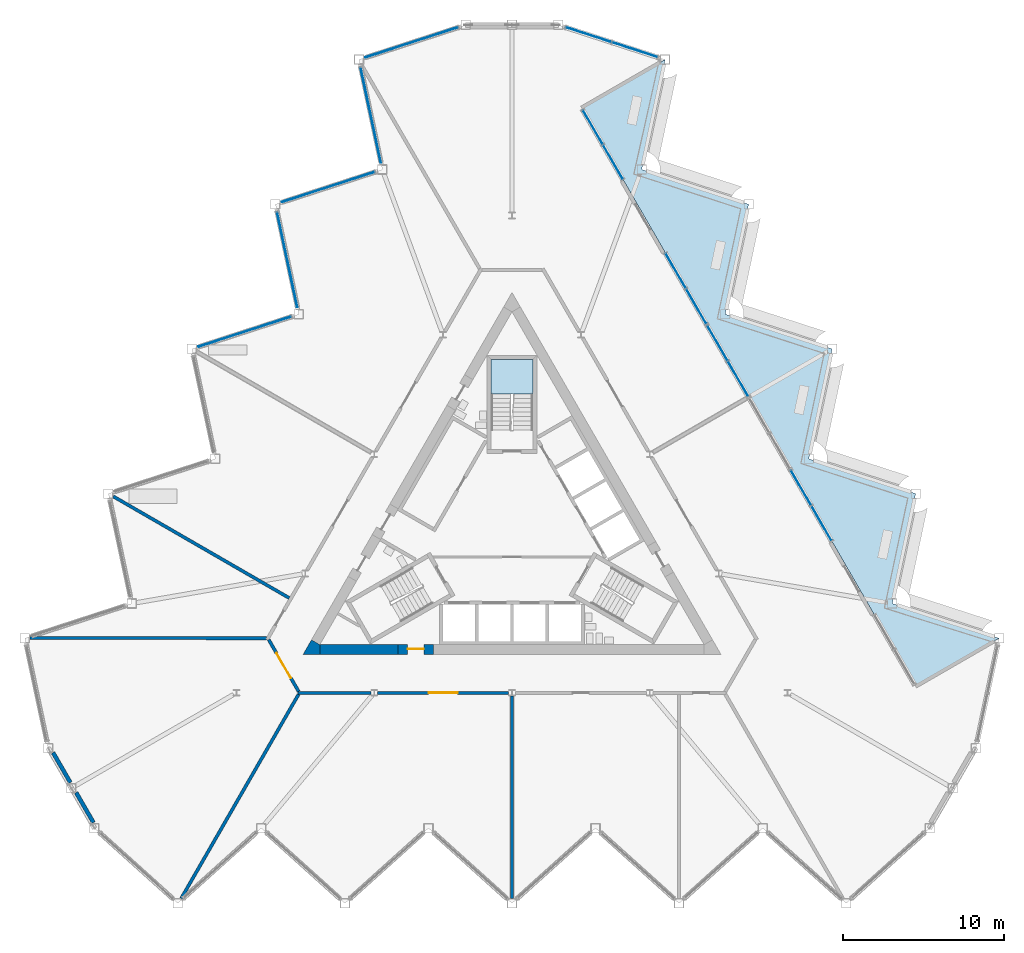
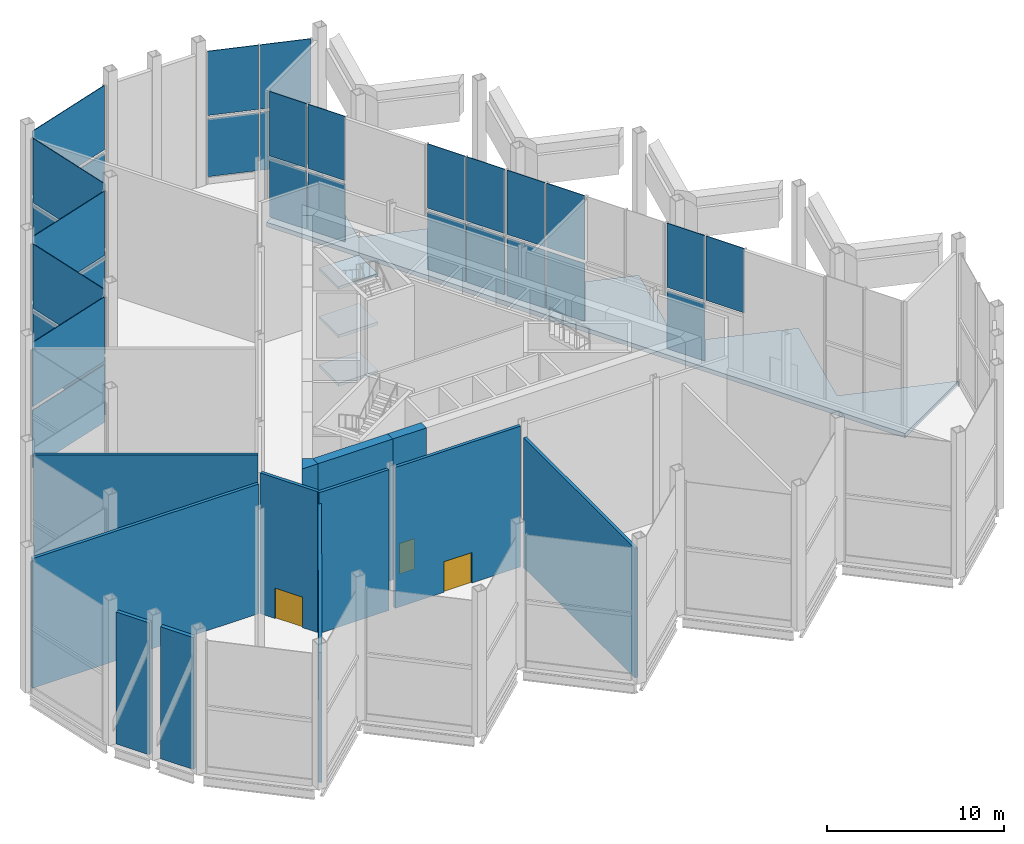
# One storey, part 8 of 18: 29 plates, 12 walls, 4 slabs, 3 doors, 3 openings, 7 elements without a shape of their own.
"""IFC4 building model written with IfcOpenShell, lengths in metres."""

from ifc_helpers import new_model, si_unit, direction, frame, frame_2d, origin, origin_2d, place, context, subcontext, project, spatial, polyline, rectangle, outline, extrude, material, layer, layer_set, type_object, element, fill, aggregate, save


model = new_model("IFC4")

# Units and contexts
model_context = context("Model", 3, precision=1e-05, world=origin(), true_north=direction((0.0, 1.0)))
body_context = subcontext(model_context, "Body", "Model", "MODEL_VIEW")
ifc_project = project(units=[si_unit("LENGTHUNIT", "METRE"), si_unit("AREAUNIT", "SQUARE_METRE"), si_unit("VOLUMEUNIT", "CUBIC_METRE"), si_unit("PLANEANGLEUNIT", "RADIAN"), si_unit("MASSUNIT", "GRAM", prefix="KILO")], contexts=[model_context])

# Site, building, storey
site_placement = place(None, origin())
site = spatial("IfcSite", under=ifc_project, at=site_placement, CompositionType="ELEMENT")
building_placement = place(site_placement, origin())
building = spatial("IfcBuilding", under=site, at=building_placement, Name="Cormorant Prow Tower", CompositionType="ELEMENT")
storey_placement = place(building_placement, frame((0.0, 0.0, 346.0)))
storey = spatial("IfcBuildingStorey", under=building, at=storey_placement, Name="L78", CompositionType="ELEMENT", Elevation=346.0)

# Curtain wall, plates
ifc_material_1 = material(Name="Aluminium 6063-T6", Category="aluminium")
ifc_layer_1 = layer(ifc_material_1, 0.300048828125)
ifc_layer_set_1 = layer_set([ifc_layer_1], Name="Aluminium 6063-T6")
curtain_wall_type = type_object("IfcCurtainWallType", Name="Sky lobby unitised curtain wall 300", PredefinedType="NOTDEFINED", material=ifc_layer_set_1)
curtain_wall_1_placement = place(storey_placement, origin())
curtain_wall_1 = element("IfcCurtainWall", 1, at=curtain_wall_1_placement, inside=storey, type_object=curtain_wall_type, Name="Sky lobby curtain wall ENE09", PredefinedType="NOTDEFINED")
ifc_material_2 = material(Name="Clear glass", Category="glass")
ifc_layer_2 = layer(ifc_material_2, 0.0439453125)
ifc_layer_set_2 = layer_set([ifc_layer_2], Name="Clear glass")
plate_type = type_object("IfcPlateType", Name="Sky lobby glass panel 44", PredefinedType="CURTAIN_PANEL", material=ifc_layer_set_2)
plate_1_placement = place(storey_placement, frame((7.638671875, 30.1279296875, 0.4501953125), z_axis=(0.0, 0.0, 1.0), x_axis=(-0.951056504236, 0.30901703149, 0.0)))
plate_1 = element("IfcPlate", 2, at=plate_1_placement, type_object=plate_type, Name="Sky lobby glass panel ENE09", PredefinedType="CURTAIN_PANEL", context=body_context, shape_type="SweptSolid", body=[
    extrude(rectangle(XDim=2.944091796875, YDim=0.0439453125, at=origin_2d()), origin(), (0.0, 0.0, 1.0), 3.973876953125),
])
plate_2_placement = place(storey_placement, frame((4.7626953125, 31.062255859375, 0.4501953125), z_axis=(0.0, 0.0, 1.0), x_axis=(-0.951056504236, 0.30901703149, 0.0)))
plate_2 = element("IfcPlate", 3, at=plate_2_placement, type_object=plate_type, Name="Sky lobby glass panel ENE09", PredefinedType="CURTAIN_PANEL", context=body_context, shape_type="SweptSolid", body=[
    extrude(rectangle(XDim=2.944091796875, YDim=0.0439453125, at=origin_2d()), origin(), (0.0, 0.0, 1.0), 3.973876953125),
])
plate_3_placement = place(storey_placement, frame((7.638671875, 30.1279296875, 4.6640625), z_axis=(0.0, 0.0, 1.0), x_axis=(-0.951056504236, 0.30901703149, 0.0)))
plate_3 = element("IfcPlate", 4, at=plate_3_placement, type_object=plate_type, Name="Sky lobby glass panel ENE09", PredefinedType="CURTAIN_PANEL", context=body_context, shape_type="SweptSolid", body=[
    extrude(rectangle(XDim=2.944091796875, YDim=0.0439453125, at=origin_2d()), origin(), (0.0, 0.0, 1.0), 4.424072265625),
])
plate_4_placement = place(storey_placement, frame((4.7626953125, 31.062255859375, 4.6640625), z_axis=(0.0, 0.0, 1.0), x_axis=(-0.951056504236, 0.30901703149, 0.0)))
plate_4 = element("IfcPlate", 5, at=plate_4_placement, type_object=plate_type, Name="Sky lobby glass panel ENE09", PredefinedType="CURTAIN_PANEL", context=body_context, shape_type="SweptSolid", body=[
    extrude(rectangle(XDim=2.944091796875, YDim=0.0439453125, at=origin_2d()), origin(), (0.0, 0.0, 1.0), 4.424072265625),
])
aggregate(curtain_wall_1, [plate_1, plate_2, plate_3, plate_4])

curtain_wall_2_placement = place(storey_placement, origin())
curtain_wall_2 = element("IfcCurtainWall", 6, at=curtain_wall_2_placement, inside=storey, type_object=curtain_wall_type, Name="Sky lobby curtain wall WNW00-WNW09", PredefinedType="NOTDEFINED")
plate_5_placement = place(storey_placement, frame((-6.23876953125, 30.582763671875, 0.4501953125), z_axis=(0.0, 0.0, 1.0), x_axis=(-0.951056504236, -0.30901703149, 0.0)))
plate_5 = element("IfcPlate", 7, at=plate_5_placement, type_object=plate_type, Name="Sky lobby glass panel WNW00-WNW09", PredefinedType="CURTAIN_PANEL", context=body_context, shape_type="SweptSolid", body=[
    extrude(rectangle(XDim=6.048095703125, YDim=0.0439453125, at=origin_2d()), origin(), (0.0, 0.0, 1.0), 3.973876953125),
])
plate_6_placement = place(storey_placement, frame((-6.23876953125, 30.582763671875, 4.6640625), z_axis=(0.0, 0.0, 1.0), x_axis=(-0.951056504236, -0.30901703149, 0.0)))
plate_6 = element("IfcPlate", 8, at=plate_6_placement, type_object=plate_type, Name="Sky lobby glass panel WNW00-WNW09", PredefinedType="CURTAIN_PANEL", context=body_context, shape_type="SweptSolid", body=[
    extrude(rectangle(XDim=6.048095703125, YDim=0.0439453125, at=origin_2d()), origin(), (0.0, 0.0, 1.0), 4.424072265625),
])
plate_7_placement = place(storey_placement, frame((-8.791748046875, 26.053466796875, 0.4501953125), z_axis=(0.0, 0.0, 1.0), x_axis=(0.207911626047, -0.978147614501, 0.0)))
plate_7 = element("IfcPlate", 9, at=plate_7_placement, type_object=plate_type, Name="Sky lobby glass panel WNW00-WNW09", PredefinedType="CURTAIN_PANEL", context=body_context, shape_type="SweptSolid", body=[
    extrude(rectangle(XDim=6.048095703125, YDim=0.0439453125, at=origin_2d()), origin(), (0.0, 0.0, 1.0), 3.973876953125),
])
plate_8_placement = place(storey_placement, frame((-8.791748046875, 26.053466796875, 4.6640625), z_axis=(0.0, 0.0, 1.0), x_axis=(0.207911626047, -0.978147614501, 0.0)))
plate_8 = element("IfcPlate", 10, at=plate_8_placement, type_object=plate_type, Name="Sky lobby glass panel WNW00-WNW09", PredefinedType="CURTAIN_PANEL", context=body_context, shape_type="SweptSolid", body=[
    extrude(rectangle(XDim=6.048095703125, YDim=0.0439453125, at=origin_2d()), origin(), (0.0, 0.0, 1.0), 4.424072265625),
])
plate_9_placement = place(storey_placement, frame((-11.437744140625, 21.57763671875, 0.4501953125), z_axis=(0.0, 0.0, 1.0), x_axis=(-0.951056517881, -0.309016989495, 0.0)))
plate_9 = element("IfcPlate", 11, at=plate_9_placement, type_object=plate_type, Name="Sky lobby glass panel WNW00-WNW09", PredefinedType="CURTAIN_PANEL", context=body_context, shape_type="SweptSolid", body=[
    extrude(rectangle(XDim=6.048095703125, YDim=0.0439453125, at=origin_2d()), origin(), (0.0, 0.0, 1.0), 3.973876953125),
])
plate_10_placement = place(storey_placement, frame((-11.437744140625, 21.57763671875, 4.6640625), z_axis=(0.0, 0.0, 1.0), x_axis=(-0.951056517881, -0.309016989495, 0.0)))
plate_10 = element("IfcPlate", 12, at=plate_10_placement, type_object=plate_type, Name="Sky lobby glass panel WNW00-WNW09", PredefinedType="CURTAIN_PANEL", context=body_context, shape_type="SweptSolid", body=[
    extrude(rectangle(XDim=6.048095703125, YDim=0.0439453125, at=origin_2d()), origin(), (0.0, 0.0, 1.0), 4.424072265625),
])
plate_11_placement = place(storey_placement, frame((-13.990966796875, 17.04833984375, 0.4501953125), z_axis=(0.0, 0.0, 1.0), x_axis=(0.20791165512, -0.978147608322, 0.0)))
plate_11 = element("IfcPlate", 13, at=plate_11_placement, type_object=plate_type, Name="Sky lobby glass panel WNW00-WNW09", PredefinedType="CURTAIN_PANEL", context=body_context, shape_type="SweptSolid", body=[
    extrude(rectangle(XDim=6.048095703125, YDim=0.0439453125, at=origin_2d()), origin(), (0.0, 0.0, 1.0), 3.973876953125),
])
plate_12_placement = place(storey_placement, frame((-13.990966796875, 17.04833984375, 4.6640625), z_axis=(0.0, 0.0, 1.0), x_axis=(0.20791165512, -0.978147608322, 0.0)))
plate_12 = element("IfcPlate", 14, at=plate_12_placement, type_object=plate_type, Name="Sky lobby glass panel WNW00-WNW09", PredefinedType="CURTAIN_PANEL", context=body_context, shape_type="SweptSolid", body=[
    extrude(rectangle(XDim=6.048095703125, YDim=0.0439453125, at=origin_2d()), origin(), (0.0, 0.0, 1.0), 4.424072265625),
])
plate_13_placement = place(storey_placement, frame((-16.63671875, 12.57275390625, 0.4501953125), z_axis=(0.0, 0.0, 1.0), x_axis=(-0.951056517881, -0.309016989495, 0.0)))
plate_13 = element("IfcPlate", 15, at=plate_13_placement, type_object=plate_type, Name="Sky lobby glass panel WNW00-WNW09", PredefinedType="CURTAIN_PANEL", context=body_context, shape_type="SweptSolid", body=[
    extrude(rectangle(XDim=6.048095703125, YDim=0.0439453125, at=origin_2d()), origin(), (0.0, 0.0, 1.0), 3.973876953125),
])
plate_14_placement = place(storey_placement, frame((-16.63671875, 12.57275390625, 4.6640625), z_axis=(0.0, 0.0, 1.0), x_axis=(-0.951056517881, -0.309016989495, 0.0)))
plate_14 = element("IfcPlate", 16, at=plate_14_placement, type_object=plate_type, Name="Sky lobby glass panel WNW00-WNW09", PredefinedType="CURTAIN_PANEL", context=body_context, shape_type="SweptSolid", body=[
    extrude(rectangle(XDim=6.048095703125, YDim=0.0439453125, at=origin_2d()), origin(), (0.0, 0.0, 1.0), 4.424072265625),
])
aggregate(curtain_wall_2, [plate_5, plate_6, plate_7, plate_8, plate_9, plate_10, plate_11, plate_12, plate_13, plate_14])

curtain_wall_3_placement = place(storey_placement, origin())
curtain_wall_3 = element("IfcCurtainWall", 17, at=curtain_wall_3_placement, inside=storey, type_object=curtain_wall_type, Name="Sky lobby curtain wall loggia ENE03", PredefinedType="NOTDEFINED")
plate_15_placement = place(storey_placement, frame((17.98876953125, 2.858642578125, 0.4501953125), z_axis=(0.0, 0.0, 1.0), x_axis=(-0.499999983736, 0.866025413174, 0.0)))
plate_15 = element("IfcPlate", 18, at=plate_15_placement, type_object=plate_type, Name="Sky lobby glass panel loggia ENE03", PredefinedType="CURTAIN_PANEL", context=body_context, shape_type="SweptSolid", body=[
    extrude(rectangle(XDim=2.4794921875, YDim=0.0439453125, at=origin_2d()), origin(), (0.0, 0.0, 1.0), 3.973876953125),
])
plate_16_placement = place(storey_placement, frame((19.2685546875, 0.641845703125, 4.6640625), z_axis=(0.0, 0.0, 1.0), x_axis=(-0.499999983736, 0.866025413174, 0.0)))
plate_16 = element("IfcPlate", 19, at=plate_16_placement, type_object=plate_type, Name="Sky lobby glass panel loggia ENE03", PredefinedType="CURTAIN_PANEL", context=body_context, shape_type="SweptSolid", body=[
    extrude(rectangle(XDim=2.4794921875, YDim=0.0439453125, at=origin_2d()), origin(), (0.0, 0.0, 1.0), 4.424072265625),
])
plate_17_placement = place(storey_placement, frame((17.98876953125, 2.858642578125, 4.6640625), z_axis=(0.0, 0.0, 1.0), x_axis=(-0.499999983736, 0.866025413174, 0.0)))
plate_17 = element("IfcPlate", 20, at=plate_17_placement, type_object=plate_type, Name="Sky lobby glass panel loggia ENE03", PredefinedType="CURTAIN_PANEL", context=body_context, shape_type="SweptSolid", body=[
    extrude(rectangle(XDim=2.4794921875, YDim=0.0439453125, at=origin_2d()), origin(), (0.0, 0.0, 1.0), 4.424072265625),
])
aggregate(curtain_wall_3, [plate_15, plate_16, plate_17])

curtain_wall_4_placement = place(storey_placement, origin())
curtain_wall_4 = element("IfcCurtainWall", 21, at=curtain_wall_4_placement, inside=storey, type_object=curtain_wall_type, Name="Sky lobby curtain wall loggia ENE05", PredefinedType="NOTDEFINED")
plate_18_placement = place(storey_placement, frame((14.069580078125, 9.64697265625, 0.4501953125), z_axis=(0.0, 0.0, 1.0), x_axis=(-0.499999983736, 0.866025413174, 0.0)))
plate_18 = element("IfcPlate", 22, at=plate_18_placement, type_object=plate_type, Name="Sky lobby glass panel loggia ENE05", PredefinedType="CURTAIN_PANEL", context=body_context, shape_type="SweptSolid", body=[
    extrude(rectangle(XDim=2.4794921875, YDim=0.0439453125, at=origin_2d()), origin(), (0.0, 0.0, 1.0), 3.973876953125),
])
plate_19_placement = place(storey_placement, frame((12.789794921875, 11.863525390625, 0.4501953125), z_axis=(0.0, 0.0, 1.0), x_axis=(-0.499999983736, 0.866025413174, 0.0)))
plate_19 = element("IfcPlate", 23, at=plate_19_placement, type_object=plate_type, Name="Sky lobby glass panel loggia ENE05", PredefinedType="CURTAIN_PANEL", context=body_context, shape_type="SweptSolid", body=[
    extrude(rectangle(XDim=2.4794921875, YDim=0.0439453125, at=origin_2d()), origin(), (0.0, 0.0, 1.0), 3.973876953125),
])
plate_20_placement = place(storey_placement, frame((14.069580078125, 9.64697265625, 4.6640625), z_axis=(0.0, 0.0, 1.0), x_axis=(-0.499999983736, 0.866025413174, 0.0)))
plate_20 = element("IfcPlate", 24, at=plate_20_placement, type_object=plate_type, Name="Sky lobby glass panel loggia ENE05", PredefinedType="CURTAIN_PANEL", context=body_context, shape_type="SweptSolid", body=[
    extrude(rectangle(XDim=2.4794921875, YDim=0.0439453125, at=origin_2d()), origin(), (0.0, 0.0, 1.0), 4.424072265625),
])
plate_21_placement = place(storey_placement, frame((12.789794921875, 11.863525390625, 4.6640625), z_axis=(0.0, 0.0, 1.0), x_axis=(-0.499999983736, 0.866025413174, 0.0)))
plate_21 = element("IfcPlate", 25, at=plate_21_placement, type_object=plate_type, Name="Sky lobby glass panel loggia ENE05", PredefinedType="CURTAIN_PANEL", context=body_context, shape_type="SweptSolid", body=[
    extrude(rectangle(XDim=2.4794921875, YDim=0.0439453125, at=origin_2d()), origin(), (0.0, 0.0, 1.0), 4.424072265625),
])
aggregate(curtain_wall_4, [plate_18, plate_19, plate_20, plate_21])

curtain_wall_5_placement = place(storey_placement, origin())
curtain_wall_5 = element("IfcCurtainWall", 26, at=curtain_wall_5_placement, inside=storey, type_object=curtain_wall_type, Name="Sky lobby curtain wall loggia ENE06", PredefinedType="NOTDEFINED")
plate_22_placement = place(storey_placement, frame((11.469970703125, 14.1494140625, 0.4501953125), z_axis=(0.0, 0.0, 1.0), x_axis=(-0.499999983736, 0.866025413174, 0.0)))
plate_22 = element("IfcPlate", 27, at=plate_22_placement, type_object=plate_type, Name="Sky lobby glass panel loggia ENE06", PredefinedType="CURTAIN_PANEL", context=body_context, shape_type="SweptSolid", body=[
    extrude(rectangle(XDim=2.4794921875, YDim=0.0439453125, at=origin_2d()), origin(), (0.0, 0.0, 1.0), 3.973876953125),
])
plate_23_placement = place(storey_placement, frame((10.190185546875, 16.3662109375, 0.4501953125), z_axis=(0.0, 0.0, 1.0), x_axis=(-0.499999983736, 0.866025413174, 0.0)))
plate_23 = element("IfcPlate", 28, at=plate_23_placement, type_object=plate_type, Name="Sky lobby glass panel loggia ENE06", PredefinedType="CURTAIN_PANEL", context=body_context, shape_type="SweptSolid", body=[
    extrude(rectangle(XDim=2.4794921875, YDim=0.0439453125, at=origin_2d()), origin(), (0.0, 0.0, 1.0), 3.973876953125),
])
plate_24_placement = place(storey_placement, frame((11.469970703125, 14.1494140625, 4.6640625), z_axis=(0.0, 0.0, 1.0), x_axis=(-0.499999983736, 0.866025413174, 0.0)))
plate_24 = element("IfcPlate", 29, at=plate_24_placement, type_object=plate_type, Name="Sky lobby glass panel loggia ENE06", PredefinedType="CURTAIN_PANEL", context=body_context, shape_type="SweptSolid", body=[
    extrude(rectangle(XDim=2.4794921875, YDim=0.0439453125, at=origin_2d()), origin(), (0.0, 0.0, 1.0), 4.424072265625),
])
plate_25_placement = place(storey_placement, frame((10.190185546875, 16.3662109375, 4.6640625), z_axis=(0.0, 0.0, 1.0), x_axis=(-0.499999983736, 0.866025413174, 0.0)))
plate_25 = element("IfcPlate", 30, at=plate_25_placement, type_object=plate_type, Name="Sky lobby glass panel loggia ENE06", PredefinedType="CURTAIN_PANEL", context=body_context, shape_type="SweptSolid", body=[
    extrude(rectangle(XDim=2.4794921875, YDim=0.0439453125, at=origin_2d()), origin(), (0.0, 0.0, 1.0), 4.424072265625),
])
aggregate(curtain_wall_5, [plate_22, plate_23, plate_24, plate_25])

curtain_wall_6_placement = place(storey_placement, origin())
curtain_wall_6 = element("IfcCurtainWall", 31, at=curtain_wall_6_placement, inside=storey, type_object=curtain_wall_type, Name="Sky lobby curtain wall loggia ENE08", PredefinedType="NOTDEFINED")
plate_26_placement = place(storey_placement, frame((6.28466796875, 23.130859375, 0.4501953125), z_axis=(0.0, 0.0, 1.0), x_axis=(-0.499999983736, 0.866025413174, 0.0)))
plate_26 = element("IfcPlate", 32, at=plate_26_placement, type_object=plate_type, Name="Sky lobby glass panel loggia ENE08", PredefinedType="CURTAIN_PANEL", context=body_context, shape_type="SweptSolid", body=[
    extrude(rectangle(XDim=2.424560546875, YDim=0.0439453125, at=origin_2d()), origin(), (0.0, 0.0, 1.0), 3.973876953125),
])
plate_27_placement = place(storey_placement, frame((5.032470703125, 25.2998046875, 0.4501953125), z_axis=(0.0, 0.0, 1.0), x_axis=(-0.499999983736, 0.866025413174, 0.0)))
plate_27 = element("IfcPlate", 33, at=plate_27_placement, type_object=plate_type, Name="Sky lobby glass panel loggia ENE08", PredefinedType="CURTAIN_PANEL", context=body_context, shape_type="SweptSolid", body=[
    extrude(rectangle(XDim=2.424560546875, YDim=0.0439453125, at=origin_2d()), origin(), (0.0, 0.0, 1.0), 3.973876953125),
])
plate_28_placement = place(storey_placement, frame((6.28466796875, 23.130859375, 4.6640625), z_axis=(0.0, 0.0, 1.0), x_axis=(-0.499999983736, 0.866025413174, 0.0)))
plate_28 = element("IfcPlate", 34, at=plate_28_placement, type_object=plate_type, Name="Sky lobby glass panel loggia ENE08", PredefinedType="CURTAIN_PANEL", context=body_context, shape_type="SweptSolid", body=[
    extrude(rectangle(XDim=2.424560546875, YDim=0.0439453125, at=origin_2d()), origin(), (0.0, 0.0, 1.0), 4.424072265625),
])
plate_29_placement = place(storey_placement, frame((5.032470703125, 25.2998046875, 4.6640625), z_axis=(0.0, 0.0, 1.0), x_axis=(-0.499999983736, 0.866025413174, 0.0)))
plate_29 = element("IfcPlate", 35, at=plate_29_placement, type_object=plate_type, Name="Sky lobby glass panel loggia ENE08", PredefinedType="CURTAIN_PANEL", context=body_context, shape_type="SweptSolid", body=[
    extrude(rectangle(XDim=2.424560546875, YDim=0.0439453125, at=origin_2d()), origin(), (0.0, 0.0, 1.0), 4.424072265625),
])
aggregate(curtain_wall_6, [plate_26, plate_27, plate_28, plate_29])

# Stair, slabs
ifc_material_3 = material(Name="Exit stair 54 risers")
stair_type = type_object("IfcStairType", Name="Exit stair 54 risers", PredefinedType="HALF_TURN_STAIR", material=ifc_material_3)
stair_placement = place(storey_placement, origin())
stair = element("IfcStair", 36, at=stair_placement, inside=storey, type_object=stair_type, Name="L78 Exit stair ST3", PredefinedType="HALF_TURN_STAIR")
ifc_material_4 = material(Name="Concrete 5000 psi", Category="concrete")
ifc_layer_3 = layer(ifc_material_4, 0.199951171875)
ifc_layer_set_3 = layer_set([ifc_layer_3], Name="Concrete 5000 psi")
slab_type_1 = type_object("IfcSlabType", Name="Stair landing 200", PredefinedType="LANDING", material=ifc_layer_set_3)
slab_1_placement = place(storey_placement, frame((0.0, 0.0, 1.466552734375)))
slab_1 = element("IfcSlab", 37, at=slab_1_placement, type_object=slab_type_1, Name="ST3 landing 1", PredefinedType="LANDING", context=body_context, shape_type="SweptSolid", body=[
    extrude(outline(polyline([(1.2939453125, 8.69189453125), (1.2939453125, 10.8369140625), (-1.2939453125, 10.8369140625), (-1.2939453125, 8.69189453125), (1.2939453125, 8.69189453125)])), origin(), (0.0, 0.0, 1.0), 0.2001953125),
])
slab_2_placement = place(storey_placement, frame((0.0, 0.0, 4.800048828125)))
slab_2 = element("IfcSlab", 38, at=slab_2_placement, type_object=slab_type_1, Name="ST3 landing 3", PredefinedType="LANDING", context=body_context, shape_type="SweptSolid", body=[
    extrude(outline(polyline([(1.2939453125, 8.69189453125), (1.2939453125, 10.8369140625), (-1.2939453125, 10.8369140625), (-1.2939453125, 8.69189453125), (1.2939453125, 8.69189453125)])), origin(), (0.0, 0.0, 1.0), 0.199951171875),
])
slab_3_placement = place(storey_placement, frame((0.0, 0.0, 8.13330078125)))
slab_3 = element("IfcSlab", 39, at=slab_3_placement, type_object=slab_type_1, Name="ST3 landing 5", PredefinedType="LANDING", context=body_context, shape_type="SweptSolid", body=[
    extrude(outline(polyline([(1.2939453125, 8.69189453125), (1.2939453125, 10.8369140625), (-1.2939453125, 10.8369140625), (-1.2939453125, 8.69189453125), (1.2939453125, 8.69189453125)])), origin(), (0.0, 0.0, 1.0), 0.199951171875),
])
aggregate(stair, [slab_1, slab_2, slab_3])

# Slab
ifc_material_5 = material(Name="Concrete C40/50", Category="concrete")
ifc_layer_4 = layer(ifc_material_5, 0.300048828125)
ifc_layer_set_4 = layer_set([ifc_layer_4], Name="Concrete C40/50")
slab_type_2 = type_object("IfcSlabType", Name="Terrace slab 300", PredefinedType="FLOOR", material=ifc_layer_set_4)
slab_4_placement = place(storey_placement, frame((0.0, 0.0, -0.300048828125)))
element("IfcSlab", 40, at=slab_4_placement, inside=storey, type_object=slab_type_2, Name="Loggia terrace slab L78", PredefinedType="FLOOR", context=body_context, shape_type="SweptSolid", body=[
    extrude(outline(polyline([(30.32373046875, -6.506103515625), (23.670166015625, -4.34423828125), (25.124755859375, 2.4990234375), (18.470947265625, 4.660888671875), (19.925537109375, 11.504150390625), (13.27197265625, 13.666015625), (14.7265625, 20.509033203125), (8.072998046875, 22.6708984375), (9.52734375, 29.51416015625), (4.331298828125, 26.51416015625), (25.127685546875, -9.506103515625), (30.32373046875, -6.506103515625)])), origin(), (0.0, 0.0, 1.0), 0.300048828125),
])

# Walls
ifc_material_6 = material(Name="Concrete 8000 psi", Category="concrete")
ifc_layer_5 = layer(ifc_material_6, 0.60009765625)
ifc_layer_set_5 = layer_set([ifc_layer_5], Name="Concrete 8000 psi")
wall_type_1 = type_object("IfcWallType", Name="Core shear wall 600", PredefinedType="SHEAR", material=ifc_layer_set_5)
wall_1_placement = place(storey_placement, frame((-11.960693359375, -7.20556640625, 0.0), z_axis=(0.0, 0.0, 1.0), x_axis=(1.0, 0.0, 0.0)))
element("IfcWall", 41, at=wall_1_placement, inside=storey, type_object=wall_type_1, Name="Core wall", PredefinedType="SHEAR", context=body_context, shape_type="SweptSolid", body=[
    extrude(rectangle(XDim=4.868408203125, YDim=0.60009765625, at=frame_2d((2.43408203125, 0.0))), origin(), (0.0, 0.0, 1.0), 9.699951171875),
])
wall_2_placement = place(storey_placement, origin())
element("IfcWall", 42, at=wall_2_placement, inside=storey, type_object=wall_type_1, Name="Core wall corner", PredefinedType="SHEAR", context=body_context, shape_type="SweptSolid", body=[
    extrude(outline(polyline([(-12.48046875, -6.605712890625), (-11.960693359375, -6.905517578125), (-11.960693359375, -7.505615234375), (-13.0, -7.505615234375), (-12.48046875, -6.605712890625)])), origin(), (0.0, 0.0, 1.0), 9.699951171875),
])

# Wall, opening, door
wall_3_placement = place(storey_placement, frame((-7.09228515625, -7.20556640625, 0.0), z_axis=(0.0, 0.0, 1.0), x_axis=(1.0, 0.0, 0.0)))
wall_3 = element("IfcWall", 43, at=wall_3_placement, inside=storey, type_object=wall_type_1, Name="Core wall door panel", PredefinedType="SHEAR", context=body_context, shape_type="SweptSolid", body=[
    extrude(rectangle(XDim=2.2001953125, YDim=0.60009765625, at=frame_2d((1.10009765625, 0.0))), origin(), (0.0, 0.0, 1.0), 9.699951171875),
])
opening_1_placement = place(wall_3_placement, frame((0.60009765625, 0.0, 0.0)))
opening_1 = element("IfcOpeningElement", 44, at=opening_1_placement, cuts=wall_3, Name="Opening L78-C14", PredefinedType="OPENING", context=body_context, shape_type="SweptSolid", body=[
    extrude(rectangle(XDim=1.0, YDim=2.10009765625, at=frame_2d((0.5, 1.050048828125))), frame((0.0, 0.31005859375, 0.0), z_axis=(0.0, -1.0, 0.0), x_axis=(1.0, 0.0, 0.0)), (0.0, 0.0, 1.0), 0.6201171875),
])
ifc_material_7 = material(Name="Painted steel", Category="steel")
door_type_1 = type_object("IfcDoorType", Name="Service door 1000x2100", OperationType="NOTDEFINED", PredefinedType="DOOR", material=ifc_material_7)
door_1_placement = place(opening_1_placement, origin())
door_1 = element("IfcDoor", 45, at=door_1_placement, inside=storey, type_object=door_type_1, Name="Core door, Housekeeping store", OperationType="SINGLE_SWING_LEFT", OverallHeight=2.10009765625, OverallWidth=1.0, PredefinedType="DOOR", context=body_context, shape_type="SweptSolid", body=[
    extrude(rectangle(XDim=1.0, YDim=2.10009765625, at=frame_2d((0.5, 1.050048828125))), frame((0.0, 0.05517578125, 0.0), z_axis=(0.0, -1.0, 0.0), x_axis=(1.0, 0.0, 0.0)), (0.0, 0.0, 1.0), 0.050048828125),
])
fill(opening_1, door_1)

ifc_material_8 = material(Name="Gypsum board corridor wall")
ifc_layer_6 = layer(ifc_material_8, 0.199951171875)
ifc_layer_set_6 = layer_set([ifc_layer_6], Name="Gypsum board corridor wall")
wall_type_2 = type_object("IfcWallType", Name="Corridor wall 200", PredefinedType="PARTITIONING", material=ifc_layer_set_6)
wall_4_placement = place(storey_placement, frame((-8.370849609375, -9.905517578125, 0.0), z_axis=(0.0, 0.0, 1.0), x_axis=(1.0, 0.0, 0.0)))
wall_4 = element("IfcWall", 46, at=wall_4_placement, inside=storey, type_object=wall_type_2, Name="Corridor wall", PredefinedType="PARTITIONING", context=body_context, shape_type="SweptSolid", body=[
    extrude(rectangle(XDim=8.1630859375, YDim=0.199951171875, at=frame_2d((4.08154296875, 0.0))), origin(), (0.0, 0.0, 1.0), 9.699951171875),
])
opening_2_placement = place(wall_4_placement, frame((3.181640625, 0.0, 0.0)))
opening_2 = element("IfcOpeningElement", 47, at=opening_2_placement, cuts=wall_4, Name="Opening L78-F01", PredefinedType="OPENING", context=body_context, shape_type="SweptSolid", body=[
    extrude(rectangle(XDim=1.800048828125, YDim=2.10009765625, at=frame_2d((0.89990234375, 1.050048828125))), frame((0.0, 0.10986328125, 0.0), z_axis=(0.0, -1.0, 0.0), x_axis=(1.0, 0.0, 0.0)), (0.0, 0.0, 1.0), 0.219970703125),
])
ifc_material_9 = material(Name="Timber door leaf", Category="wood")
door_type_2 = type_object("IfcDoorType", Name="Double door 1800x2100", OperationType="DOUBLE_DOOR_SINGLE_SWING", PredefinedType="DOOR", material=ifc_material_9)
door_2_placement = place(opening_2_placement, origin())
door_2 = element("IfcDoor", 48, at=door_2_placement, inside=storey, type_object=door_type_2, Name="Residents restaurant door", OperationType="DOUBLE_DOOR_SINGLE_SWING", OverallHeight=2.10009765625, OverallWidth=1.800048828125, PredefinedType="DOOR", context=body_context, shape_type="SweptSolid", body=[
    extrude(rectangle(XDim=1.800048828125, YDim=2.10009765625, at=frame_2d((0.89990234375, 1.050048828125))), frame((0.0, 0.02490234375, 0.0), z_axis=(0.0, -1.0, 0.0), x_axis=(1.0, 0.0, 0.0)), (0.0, 0.0, 1.0), 0.050048828125),
])
fill(opening_2, door_2)

# Wall
wall_5_placement = place(storey_placement, frame((-13.330810546875, -9.905517578125, 0.0), z_axis=(0.0, 0.0, 1.0), x_axis=(1.0, 0.0, 0.0)))
element("IfcWall", 49, at=wall_5_placement, inside=storey, type_object=wall_type_2, Name="Corridor wall", PredefinedType="PARTITIONING", context=body_context, shape_type="SweptSolid", body=[
    extrude(rectangle(XDim=4.544677734375, YDim=0.199951171875, at=frame_2d((2.2724609375, 0.0))), origin(), (0.0, 0.0, 1.0), 9.699951171875),
])

# Wall, opening, door
wall_6_placement = place(storey_placement, frame((-15.143798828125, -6.59228515625, 0.0), z_axis=(0.0, 0.0, 1.0), x_axis=(0.499958791762, -0.866049194065, 0.0)))
wall_6 = element("IfcWall", 50, at=wall_6_placement, inside=storey, type_object=wall_type_2, Name="Corridor wall", PredefinedType="PARTITIONING", context=body_context, shape_type="SweptSolid", body=[
    extrude(rectangle(XDim=3.725830078125, YDim=0.199951171875, at=frame_2d((1.86279296875, 0.0))), origin(), (0.0, 0.0, 1.0), 9.699951171875),
])
opening_3_placement = place(wall_6_placement, frame((0.962890625, 0.0, 0.0)))
opening_3 = element("IfcOpeningElement", 51, at=opening_3_placement, cuts=wall_6, Name="Opening L78-F09", PredefinedType="OPENING", context=body_context, shape_type="SweptSolid", body=[
    extrude(rectangle(XDim=1.800048828125, YDim=2.10009765625, at=frame_2d((0.89990234375, 1.050048828125))), frame((0.0, 0.10986328125, 0.0), z_axis=(0.0, -1.0, 0.0), x_axis=(1.0, 0.0, 0.0)), (0.0, 0.0, 1.0), 0.219970703125),
])
door_3_placement = place(opening_3_placement, origin())
door_3 = element("IfcDoor", 52, at=door_3_placement, inside=storey, type_object=door_type_2, Name="Property management offices door", OperationType="DOUBLE_DOOR_SINGLE_SWING", OverallHeight=2.10009765625, OverallWidth=1.800048828125, PredefinedType="DOOR", context=body_context, shape_type="SweptSolid", body=[
    extrude(rectangle(XDim=1.800048828125, YDim=2.10009765625, at=frame_2d((0.89990234375, 1.050048828125))), frame((0.0, 0.02490234375, 0.0), z_axis=(0.0, -1.0, 0.0), x_axis=(1.0, 0.0, 0.0)), (0.0, 0.0, 1.0), 0.050048828125),
])
fill(opening_3, door_3)

# Walls
ifc_material_10 = material(Name="Gypsum board demising wall")
ifc_layer_7 = layer(ifc_material_10, 0.199951171875)
ifc_layer_set_7 = layer_set([ifc_layer_7], Name="Gypsum board demising wall")
wall_type_3 = type_object("IfcWallType", Name="Demising wall 200", PredefinedType="PARTITIONING", material=ifc_layer_set_7)
wall_7_placement = place(storey_placement, frame((-30.013671875, -6.481689453125, 0.0), z_axis=(0.0, 0.0, 1.0), x_axis=(0.999998705824, -0.001608834911, 0.0)))
element("IfcWall", 53, at=wall_7_placement, inside=storey, type_object=wall_type_3, Name="Demising wall", PredefinedType="PARTITIONING", context=body_context, shape_type="SweptSolid", body=[
    extrude(rectangle(XDim=14.7197265625, YDim=0.199951171875, at=frame_2d((7.35986328125, 0.0))), origin(), (0.0, 0.0, 1.0), 8.93017578125),
])
wall_8_placement = place(storey_placement, frame((-20.589111328125, -22.697998046875, 0.0), z_axis=(0.0, 0.0, 1.0), x_axis=(0.498599735937, 0.866832338646, 0.0)))
element("IfcWall", 54, at=wall_8_placement, inside=storey, type_object=wall_type_3, Name="Demising wall", PredefinedType="PARTITIONING", context=body_context, shape_type="SweptSolid", body=[
    extrude(rectangle(XDim=14.65771484375, YDim=0.199951171875, at=frame_2d((7.328857421875, 0.0))), origin(), (0.0, 0.0, 1.0), 8.93017578125),
])
wall_9_placement = place(storey_placement, frame((-24.814697265625, 2.320068359375, 0.0), z_axis=(0.0, 0.0, 1.0), x_axis=(0.866029324615, -0.499993208861, 0.0)))
element("IfcWall", 55, at=wall_9_placement, inside=storey, type_object=wall_type_3, Name="Demising wall", PredefinedType="PARTITIONING", context=body_context, shape_type="SweptSolid", body=[
    extrude(rectangle(XDim=12.644775390625, YDim=0.199951171875, at=frame_2d((6.322265625, 0.0))), origin(), (0.0, 0.0, 1.0), 8.93017578125),
])
wall_10_placement = place(storey_placement, frame((0.0, -22.697998046875, 0.0), z_axis=(0.0, 0.0, 1.0), x_axis=(0.0, 1.0, 0.0)))
element("IfcWall", 56, at=wall_10_placement, inside=storey, type_object=wall_type_3, Name="Demising wall", PredefinedType="PARTITIONING", context=body_context, shape_type="SweptSolid", body=[
    extrude(rectangle(XDim=12.584716796875, YDim=0.199951171875, at=frame_2d((6.29248046875, 0.0))), origin(), (0.0, 0.0, 1.0), 8.93017578125),
])
ifc_material_11 = material(Name="Terracotta", Category="masonry")
ifc_layer_8 = layer(ifc_material_11, 0.25)
ifc_layer_set_8 = layer_set([ifc_layer_8], Name="Terracotta")
wall_type_4 = type_object("IfcWallType", Name="Terracotta bay wall 250", PredefinedType="SOLIDWALL", material=ifc_layer_set_8)
for number, where, z_axis, x_axis, name in (
    (57, (-28.566162109375, -13.624267578125, 0.0), (0.0, 0.0, 1.0), (0.500043223821, -0.866000447062, 0.0), "Terracotta bay wall WSW00"),
    (58, (-27.129150390625, -16.113037109375, 0.0), (0.0, 0.0, 1.0), (0.499958141536, -0.866049569431, 0.0), "Terracotta bay wall WSW01"),
):
    element("IfcWall", number, at=place(storey_placement, frame(where, z_axis=z_axis, x_axis=x_axis)), inside=storey, type_object=wall_type_4, Name=name, PredefinedType="SOLIDWALL", context=body_context, shape_type="SweptSolid", body=[
        extrude(rectangle(XDim=2.152099609375, YDim=0.25, at=frame_2d((1.076171875, 0.0))), origin(), (0.0, 0.0, 1.0), 9.087890625),
    ])

save(model, "model.ifc")
